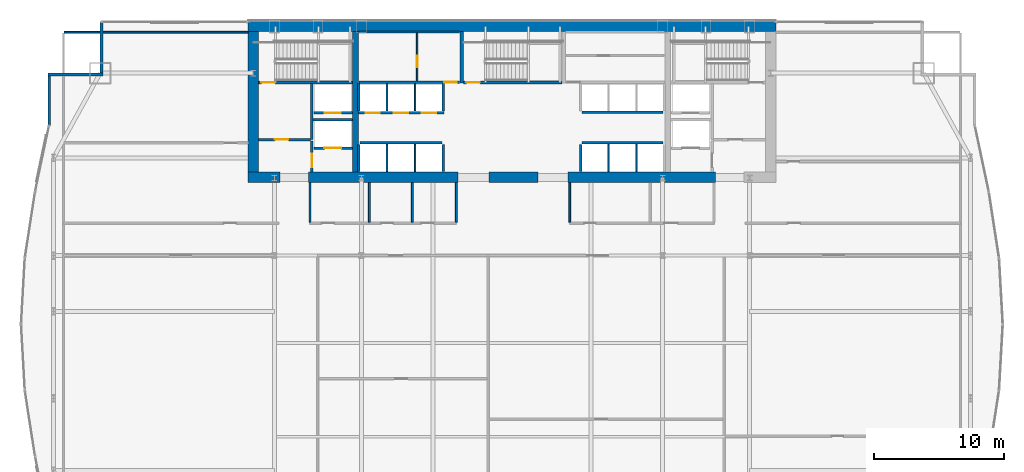
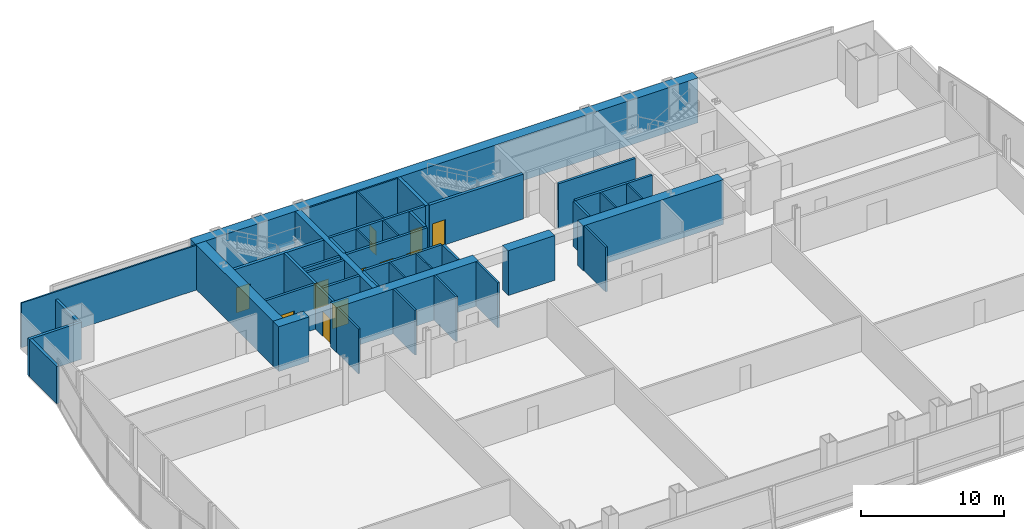
# One storey, part 30 of 35: 43 walls, 11 doors, 11 openings.
"""IFC4 building model written with IfcOpenShell, lengths in metres."""

from ifc_helpers import new_model, si_unit, direction, frame, frame_2d, origin, place, context, subcontext, project, spatial, rectangle, extrude, material, layer, layer_set, type_object, element, fill, save


model = new_model("IFC4")

# Units and contexts
model_context = context("Model", 3, precision=1e-05, world=origin(), true_north=direction((0.0, 1.0)))
body_context = subcontext(model_context, "Body", "Model", "MODEL_VIEW")
ifc_project = project(units=[si_unit("LENGTHUNIT", "METRE"), si_unit("AREAUNIT", "SQUARE_METRE"), si_unit("VOLUMEUNIT", "CUBIC_METRE"), si_unit("PLANEANGLEUNIT", "RADIAN"), si_unit("MASSUNIT", "GRAM", prefix="KILO")], contexts=[model_context])

# Site, building, storey
site_placement = place(None, origin())
site = spatial("IfcSite", under=ifc_project, at=site_placement, CompositionType="ELEMENT")
building_placement = place(site_placement, origin())
building = spatial("IfcBuilding", under=site, at=building_placement, Name="Khoronbel Lancet Exchange", CompositionType="ELEMENT")
storey_placement = place(building_placement, frame((0.0, 0.0, 53.800048828125)))
storey = spatial("IfcBuildingStorey", under=building, at=storey_placement, Name="L12", CompositionType="ELEMENT", Elevation=53.800048828125)

# Walls
ifc_material_1 = material(Name="Concrete C80/95", Category="concrete")
ifc_layer_1 = layer(ifc_material_1, 0.800048828125, Name="Concrete C80/95")
ifc_layer_set_1 = layer_set([ifc_layer_1], Name="Concrete C80/95")
wall_type_1 = type_object("IfcWallType", Name="WL-CW1", PredefinedType="SHEAR", material=ifc_layer_set_1)
wall_1_placement = place(storey_placement, frame((16.199951171875, 53.300048828125, 0.0), z_axis=(0.0, 0.0, 1.0), x_axis=(1.0, 0.0, 0.0)))
element("IfcWall", 1, at=wall_1_placement, inside=storey, type_object=wall_type_1, Name="Level L12 rear core north shear wall", PredefinedType="SHEAR", context=body_context, shape_type="SweptSolid", body=[
    extrude(rectangle(XDim=40.5, YDim=0.800048828125, at=frame_2d((20.25, 0.0))), origin(), (0.0, 0.0, 1.0), 3.820068359375),
])
wall_2_placement = place(storey_placement, frame((16.60009765625, 42.10009765625, 0.0), z_axis=(0.0, 0.0, 1.0), x_axis=(0.0, 1.0, 0.0)))
element("IfcWall", 2, at=wall_2_placement, inside=storey, type_object=wall_type_1, Name="Level L12 rear core west shear wall", PredefinedType="SHEAR", context=body_context, shape_type="SweptSolid", body=[
    extrude(rectangle(XDim=10.7998046875, YDim=0.800048828125, at=frame_2d((5.39990234375, 0.0))), origin(), (0.0, 0.0, 1.0), 3.820068359375),
])
wall_3_placement = place(storey_placement, frame((18.64990234375, 41.699951171875, 0.0), z_axis=(0.0, 0.0, 1.0), x_axis=(-1.0, 0.0, 0.0)))
element("IfcWall", 3, at=wall_3_placement, inside=storey, type_object=wall_type_1, Name="Level L12 rear core south shear wall pier P1", PredefinedType="SHEAR", context=body_context, shape_type="SweptSolid", body=[
    extrude(rectangle(XDim=2.449951171875, YDim=0.800048828125, at=frame_2d((1.22509765625, 0.0))), origin(), (0.0, 0.0, 1.0), 3.820068359375),
])
wall_4_placement = place(storey_placement, frame((32.300048828125, 41.699951171875, 0.0), z_axis=(0.0, 0.0, 1.0), x_axis=(-1.0, 0.0, 0.0)))
element("IfcWall", 4, at=wall_4_placement, inside=storey, type_object=wall_type_1, Name="Level L12 rear core south shear wall pier P2", PredefinedType="SHEAR", context=body_context, shape_type="SweptSolid", body=[
    extrude(rectangle(XDim=11.449951171875, YDim=0.800048828125, at=frame_2d((5.72509765625, 0.0))), origin(), (0.0, 0.0, 1.0), 3.820068359375),
])
wall_5_placement = place(storey_placement, frame((38.449951171875, 41.699951171875, 0.0), z_axis=(0.0, 0.0, 1.0), x_axis=(-1.0, 0.0, 0.0)))
element("IfcWall", 5, at=wall_5_placement, inside=storey, type_object=wall_type_1, Name="Level L12 rear core south shear wall pier P3", PredefinedType="SHEAR", context=body_context, shape_type="SweptSolid", body=[
    extrude(rectangle(XDim=3.75, YDim=0.800048828125, at=frame_2d((1.875, 0.0))), origin(), (0.0, 0.0, 1.0), 3.820068359375),
])
wall_6_placement = place(storey_placement, frame((52.050048828125, 41.699951171875, 0.0), z_axis=(0.0, 0.0, 1.0), x_axis=(-1.0, 0.0, 0.0)))
element("IfcWall", 6, at=wall_6_placement, inside=storey, type_object=wall_type_1, Name="Level L12 rear core south shear wall pier P4", PredefinedType="SHEAR", context=body_context, shape_type="SweptSolid", body=[
    extrude(rectangle(XDim=11.300048828125, YDim=0.800048828125, at=frame_2d((5.64990234375, 0.0))), origin(), (0.0, 0.0, 1.0), 3.820068359375),
])
ifc_material_2 = material(Name="Precast concrete C40/50", Category="concrete")
ifc_layer_2 = layer(ifc_material_2, 0.25, Name="Precast concrete C40/50")
ifc_layer_set_2 = layer_set([ifc_layer_2], Name="Precast concrete C40/50")
wall_type_2 = type_object("IfcWallType", Name="WL-EXT250", PredefinedType="SOLIDWALL", material=ifc_layer_set_2)
wall_7_placement = place(storey_placement, frame((0.93994140625, 45.670654296875, 0.0), z_axis=(0.0, 0.0, 1.0), x_axis=(0.0, 1.0, 0.0)))
element("IfcWall", 7, at=wall_7_placement, inside=storey, type_object=wall_type_2, Name="Level L12 notched-corner limestone pier 10", PredefinedType="SOLIDWALL", context=body_context, shape_type="SweptSolid", body=[
    extrude(rectangle(XDim=3.829345703125, YDim=0.219970703125, at=frame_2d((1.91455078125, 0.0))), origin(), (0.0, 0.0, 1.0), 3.159912109375),
])
wall_8_placement = place(storey_placement, frame((0.830078125, 49.610107421875, 0.0), z_axis=(0.0, 0.0, 1.0), x_axis=(1.0, 0.0, 0.0)))
element("IfcWall", 8, at=wall_8_placement, inside=storey, type_object=wall_type_2, Name="Level L12 notched-corner limestone pier 11", PredefinedType="SOLIDWALL", context=body_context, shape_type="SweptSolid", body=[
    extrude(rectangle(XDim=4.219970703125, YDim=0.219970703125, at=frame_2d((2.10986328125, 0.0))), origin(), (0.0, 0.0, 1.0), 3.159912109375),
])
wall_9_placement = place(storey_placement, frame((4.93994140625, 49.719970703125, 0.0), z_axis=(0.0, 0.0, 1.0), x_axis=(0.0, 1.0, 0.0)))
element("IfcWall", 9, at=wall_9_placement, inside=storey, type_object=wall_type_2, Name="Level L12 notched-corner limestone pier 12", PredefinedType="SOLIDWALL", context=body_context, shape_type="SweptSolid", body=[
    extrude(rectangle(XDim=3.909912109375, YDim=0.219970703125, at=frame_2d((1.955078125, 0.0))), origin(), (0.0, 0.0, 1.0), 3.159912109375),
])
ifc_material_3 = material(Name="Acoustic Metal-Stud & Mineral-Wool Gypsum Partition 120 mm", Category="gypsum")
ifc_layer_3 = layer(ifc_material_3, 0.1201171875, Name="Acoustic Metal-Stud & Mineral-Wool Gypsum Partition 120 mm")
ifc_layer_set_3 = layer_set([ifc_layer_3], Name="Acoustic Metal-Stud & Mineral-Wool Gypsum Partition 120 mm")
wall_type_3 = type_object("IfcWallType", Name="WL-PRT120", PredefinedType="PARTITIONING", material=ifc_layer_set_3)
for number, where, z_axis, x_axis, name in (
    (10, (20.949951171875, 38.280029296875, 0.0), (0.0, 0.0, 1.0), (0.0, 1.0, 0.0), "Level L12 interior partition PW-WC-0"),
    (11, (25.5, 38.280029296875, 0.0), (0.0, 0.0, 1.0), (0.0, 1.0, 0.0), "Level L12 interior partition PW-WC-1"),
    (12, (28.800048828125, 38.280029296875, 0.0), (0.0, 0.0, 1.0), (0.0, 1.0, 0.0), "Level L12 interior partition PW-WC-2"),
    (13, (32.179931640625, 38.280029296875, 0.0), (0.0, 0.0, 1.0), (0.0, 1.0, 0.0), "Level L12 interior partition PW-WC-3"),
    (14, (40.8798828125, 38.280029296875, 0.0), (0.0, 0.0, 1.0), (0.0, 1.0, 0.0), "Level L12 interior partition PW-NP-0"),
):
    element("IfcWall", number, at=place(storey_placement, frame(where, z_axis=z_axis, x_axis=x_axis)), inside=storey, type_object=wall_type_3, Name=name, PredefinedType="PARTITIONING", context=body_context, shape_type="SweptSolid", body=[
        extrude(rectangle(XDim=3.02001953125, YDim=0.14990234375, at=frame_2d((1.510009765625, 0.0))), origin(), (0.0, 0.0, 1.0), 3.820068359375),
    ])
wall_10_placement = place(storey_placement, frame((2.094970703125, 52.840087890625, 0.0), z_axis=(0.0, 0.0, 1.0), x_axis=(1.0, 0.0, 0.0)))
element("IfcWall", 15, at=wall_10_placement, inside=storey, type_object=wall_type_3, Name="Level L12 interior partition PW-LIN-NW", PredefinedType="PARTITIONING", context=body_context, shape_type="SweptSolid", body=[
    extrude(rectangle(XDim=14.10498046875, YDim=0.1201171875, at=frame_2d((7.052490234375, 0.0))), origin(), (0.0, 0.0, 1.0), 3.820068359375),
])
ifc_material_4 = material(Name="Fire-Rated Metal-Stud & Mineral-Wool Gypsum Partition 120 mm", Category="gypsum")
ifc_layer_4 = layer(ifc_material_4, 0.1201171875, Name="Fire-Rated Metal-Stud & Mineral-Wool Gypsum Partition 120 mm")
ifc_layer_set_4 = layer_set([ifc_layer_4], Name="Fire-Rated Metal-Stud & Mineral-Wool Gypsum Partition 120 mm")
wall_type_4 = type_object("IfcWallType", Name="WL-PRT120F", PredefinedType="PARTITIONING", material=ifc_layer_set_4)
for number, where, z_axis, x_axis, name in (
    (16, (26.860107421875, 46.800048828125, 0.0), (0.0, 0.0, 1.0), (0.0, 1.0, 0.0), "Level L12 interior partition CW-PL-D1"),
    (17, (29.02001953125, 46.800048828125, 0.0), (0.0, 0.0, 1.0), (0.0, 1.0, 0.0), "Level L12 interior partition CW-PL-D2"),
):
    element("IfcWall", number, at=place(storey_placement, frame(where, z_axis=z_axis, x_axis=x_axis)), inside=storey, type_object=wall_type_4, Name=name, PredefinedType="PARTITIONING", context=body_context, shape_type="SweptSolid", body=[
        extrude(rectangle(XDim=2.094970703125, YDim=0.1201171875, at=frame_2d((1.04736328125, 0.0))), origin(), (0.0, 0.0, 1.0), 3.820068359375),
    ])
for number, where, z_axis, x_axis, name in (
    (18, (26.860107421875, 42.14990234375, 0.0), (0.0, 0.0, 1.0), (0.0, 1.0, 0.0), "Level L12 interior partition CW-PM-D1"),
    (19, (29.02001953125, 42.14990234375, 0.0), (0.0, 0.0, 1.0), (0.0, 1.0, 0.0), "Level L12 interior partition CW-PM-D2"),
    (20, (43.860107421875, 42.14990234375, 0.0), (0.0, 0.0, 1.0), (0.0, 1.0, 0.0), "Level L12 interior partition CW-PX-D1"),
    (21, (46.0, 42.14990234375, 0.0), (0.0, 0.0, 1.0), (0.0, 1.0, 0.0), "Level L12 interior partition CW-PX-D2"),
):
    element("IfcWall", number, at=place(storey_placement, frame(where, z_axis=z_axis, x_axis=x_axis)), inside=storey, type_object=wall_type_4, Name=name, PredefinedType="PARTITIONING", context=body_context, shape_type="SweptSolid", body=[
        extrude(rectangle(XDim=2.09521484375, YDim=0.1201171875, at=frame_2d((1.047607421875, 0.0))), origin(), (0.0, 0.0, 1.0), 3.820068359375),
    ])
wall_11_placement = place(storey_placement, frame((24.699951171875, 52.860107421875, 0.0), z_axis=(0.0, 0.0, 1.0), x_axis=(1.0, 0.0, 0.0)))
element("IfcWall", 22, at=wall_11_placement, inside=storey, type_object=wall_type_4, Name="Level L12 interior partition CW-SUP-NW-N", PredefinedType="PARTITIONING", context=body_context, shape_type="SweptSolid", body=[
    extrude(rectangle(XDim=7.719970703125, YDim=0.1201171875, at=frame_2d((3.85986328125, 0.0))), origin(), (0.0, 0.0, 1.0), 3.820068359375),
])

# Wall, opening, door
wall_12_placement = place(storey_placement, frame((29.177490234375, 49.10498046875, 0.0), z_axis=(0.0, 0.0, 1.0), x_axis=(0.0, 1.0, 0.0)))
wall_12 = element("IfcWall", 23, at=wall_12_placement, inside=storey, type_object=wall_type_4, Name="Level L12 interior partition CW-SUP-NW-M", PredefinedType="PARTITIONING", context=body_context, shape_type="SweptSolid", body=[
    extrude(rectangle(XDim=3.68994140625, YDim=0.1201171875, at=frame_2d((1.844970703125, 0.0))), origin(), (0.0, 0.0, 1.0), 3.820068359375),
])
opening_1_placement = place(wall_12_placement, frame((1.050048828125, 0.0, 0.0)))
opening_1 = element("IfcOpeningElement", 24, at=opening_1_placement, cuts=wall_12, Name="Opening FD4", PredefinedType="OPENING", context=body_context, shape_type="SweptSolid", body=[
    extrude(rectangle(XDim=0.89990234375, YDim=2.050048828125, at=frame_2d((0.449951171875, 1.02490234375))), frame((0.0, 0.070068359375, 0.0), z_axis=(0.0, -1.0, 0.0), x_axis=(1.0, 0.0, 0.0)), (0.0, 0.0, 1.0), 0.14013671875),
])
ifc_material_5 = material(Name="Fire-Rated Steel Core Support Door Assembly", Category="steel")
door_type_1 = type_object("IfcDoorType", Name="DR-FD4", OperationType="NOTDEFINED", PredefinedType="DOOR", material=ifc_material_5)
door_1_placement = place(opening_1_placement, origin())
door_1 = element("IfcDoor", 25, at=door_1_placement, inside=storey, type_object=door_type_1, Name="Core NW inner support door L12-1", OperationType="SINGLE_SWING_RIGHT", OverallHeight=2.050048828125, OverallWidth=0.89990234375, PredefinedType="DOOR", context=body_context, shape_type="SweptSolid", body=[
    extrude(rectangle(XDim=0.89990234375, YDim=2.050048828125, at=frame_2d((0.449951171875, 1.02490234375))), frame((0.0, 0.02490234375, 0.0), z_axis=(0.0, -1.0, 0.0), x_axis=(1.0, 0.0, 0.0)), (0.0, 0.0, 1.0), 0.050048828125),
])
fill(opening_1, door_1)

ifc_material_6 = material(Name="Autoclaved Aerated Concrete Blockwork 200 mm", Category="masonry")
ifc_layer_5 = layer(ifc_material_6, 0.199951171875, Name="Autoclaved Aerated Concrete Blockwork 200 mm")
ifc_layer_set_5 = layer_set([ifc_layer_5], Name="Autoclaved Aerated Concrete Blockwork 200 mm")
wall_type_5 = type_object("IfcWallType", Name="WL-PRT200", PredefinedType="PARTITIONING", material=ifc_layer_set_5)
wall_13_placement = place(storey_placement, frame((24.2099609375, 43.949951171875, 0.0), z_axis=(0.0, 0.0, 1.0), x_axis=(-1.0, 0.0, 0.0)))
wall_13 = element("IfcWall", 26, at=wall_13_placement, inside=storey, type_object=wall_type_5, Name="Level L12 elevator hoistway landing front wall SVLW", PredefinedType="PARTITIONING", context=body_context, shape_type="SweptSolid", body=[
    extrude(rectangle(XDim=2.969970703125, YDim=0.199951171875, at=frame_2d((1.48486328125, 0.0))), origin(), (0.0, 0.0, 1.0), 3.820068359375),
])
opening_2_placement = place(wall_13_placement, frame((0.860107421875, 0.0, 0.0)))
opening_2 = element("IfcOpeningElement", 27, at=opening_2_placement, cuts=wall_13, Name="Opening LD-SVL1", PredefinedType="OPENING", context=body_context, shape_type="SweptSolid", body=[
    extrude(rectangle(XDim=1.300048828125, YDim=2.179931640625, at=frame_2d((0.64990234375, 1.08984375))), frame((0.0, 0.10986328125, 0.0), z_axis=(0.0, -1.0, 0.0), x_axis=(1.0, 0.0, 0.0)), (0.0, 0.0, 1.0), 0.219970703125),
])
ifc_material_7 = material(Name="Heavy-Duty Bi-Parting Goods Lift Landing Door", Category="steel")
door_type_2 = type_object("IfcDoorType", Name="DR-LD-SVL", OperationType="NOTDEFINED", PredefinedType="DOOR", material=ifc_material_7)
door_2_placement = place(opening_2_placement, origin())
door_2 = element("IfcDoor", 28, at=door_2_placement, inside=storey, type_object=door_type_2, Name="Elevator landing sliding door LD-SVL1 L12", OperationType="SLIDING_TO_LEFT", OverallHeight=2.179931640625, OverallWidth=1.300048828125, PredefinedType="DOOR", context=body_context, shape_type="SweptSolid", body=[
    extrude(rectangle(XDim=1.300048828125, YDim=2.179931640625, at=frame_2d((0.64990234375, 1.08984375))), frame((0.0, 0.02490234375, 0.0), z_axis=(0.0, -1.0, 0.0), x_axis=(1.0, 0.0, 0.0)), (0.0, 0.0, 1.0), 0.050048828125),
])
fill(opening_2, door_2)

wall_14_placement = place(storey_placement, frame((24.2099609375, 46.64990234375, 0.0), z_axis=(0.0, 0.0, 1.0), x_axis=(-1.0, 0.0, 0.0)))
wall_14 = element("IfcWall", 29, at=wall_14_placement, inside=storey, type_object=wall_type_5, Name="Level L12 elevator hoistway landing front wall FFLW", PredefinedType="PARTITIONING", context=body_context, shape_type="SweptSolid", body=[
    extrude(rectangle(XDim=2.969970703125, YDim=0.199951171875, at=frame_2d((1.48486328125, 0.0))), origin(), (0.0, 0.0, 1.0), 3.820068359375),
])
opening_3_placement = place(wall_14_placement, frame((0.909912109375, 0.0, 0.0)))
opening_3 = element("IfcOpeningElement", 30, at=opening_3_placement, cuts=wall_14, Name="Opening LD-FFL1", PredefinedType="OPENING", context=body_context, shape_type="SweptSolid", body=[
    extrude(rectangle(XDim=1.199951171875, YDim=2.179931640625, at=frame_2d((0.60009765625, 1.08984375))), frame((0.0, 0.10986328125, 0.0), z_axis=(0.0, -1.0, 0.0), x_axis=(1.0, 0.0, 0.0)), (0.0, 0.0, 1.0), 0.219970703125),
])
ifc_material_8 = material(Name="Fire-Rated Stainless Bi-Parting Firefighting Lift Door", Category="steel")
door_type_3 = type_object("IfcDoorType", Name="DR-LD-FFL", OperationType="NOTDEFINED", PredefinedType="DOOR", material=ifc_material_8)
door_3_placement = place(opening_3_placement, origin())
door_3 = element("IfcDoor", 31, at=door_3_placement, inside=storey, type_object=door_type_3, Name="Elevator landing sliding door LD-FFL1 L12", OperationType="SLIDING_TO_LEFT", OverallHeight=2.179931640625, OverallWidth=1.199951171875, PredefinedType="DOOR", context=body_context, shape_type="SweptSolid", body=[
    extrude(rectangle(XDim=1.199951171875, YDim=2.179931640625, at=frame_2d((0.60009765625, 1.08984375))), frame((0.0, 0.02490234375, 0.0), z_axis=(0.0, -1.0, 0.0), x_axis=(1.0, 0.0, 0.0)), (0.0, 0.0, 1.0), 0.050048828125),
])
fill(opening_3, door_3)

# Wall, openings, doors
wall_15_placement = place(storey_placement, frame((31.219970703125, 46.64990234375, 0.0), z_axis=(0.0, 0.0, 1.0), x_axis=(-1.0, 0.0, 0.0)))
wall_15 = element("IfcWall", 32, at=wall_15_placement, inside=storey, type_object=wall_type_5, Name="Level L12 elevator hoistway landing front wall PLW", PredefinedType="PARTITIONING", context=body_context, shape_type="SweptSolid", body=[
    extrude(rectangle(XDim=6.530029296875, YDim=0.199951171875, at=frame_2d((3.26513671875, 0.0))), origin(), (0.0, 0.0, 1.0), 3.820068359375),
])
opening_4_placement = place(wall_15_placement, frame((4.89990234375, 0.0, 0.0)))
opening_4 = element("IfcOpeningElement", 33, at=opening_4_placement, cuts=wall_15, Name="Opening LD-PL1", PredefinedType="OPENING", context=body_context, shape_type="SweptSolid", body=[
    extrude(rectangle(XDim=1.10009765625, YDim=2.179931640625, at=frame_2d((0.550048828125, 1.08984375))), frame((0.0, 0.10986328125, 0.0), z_axis=(0.0, -1.0, 0.0), x_axis=(1.0, 0.0, 0.0)), (0.0, 0.0, 1.0), 0.219970703125),
])
opening_5_placement = place(wall_15_placement, frame((2.739990234375, 0.0, 0.0)))
opening_5 = element("IfcOpeningElement", 34, at=opening_5_placement, cuts=wall_15, Name="Opening LD-PL2", PredefinedType="OPENING", context=body_context, shape_type="SweptSolid", body=[
    extrude(rectangle(XDim=1.10009765625, YDim=2.179931640625, at=frame_2d((0.550048828125, 1.08984375))), frame((0.0, 0.10986328125, 0.0), z_axis=(0.0, -1.0, 0.0), x_axis=(1.0, 0.0, 0.0)), (0.0, 0.0, 1.0), 0.219970703125),
])
opening_6_placement = place(wall_15_placement, frame((0.580078125, 0.0, 0.0)))
opening_6 = element("IfcOpeningElement", 35, at=opening_6_placement, cuts=wall_15, Name="Opening LD-PL3", PredefinedType="OPENING", context=body_context, shape_type="SweptSolid", body=[
    extrude(rectangle(XDim=1.10009765625, YDim=2.179931640625, at=frame_2d((0.550048828125, 1.08984375))), frame((0.0, 0.10986328125, 0.0), z_axis=(0.0, -1.0, 0.0), x_axis=(1.0, 0.0, 0.0)), (0.0, 0.0, 1.0), 0.219970703125),
])
ifc_material_9 = material(Name="Brushed Bronze Bi-Parting Elevator Landing Door", Category="steel")
door_type_4 = type_object("IfcDoorType", Name="DR-LD-PAX", OperationType="NOTDEFINED", PredefinedType="DOOR", material=ifc_material_9)
door_4_placement = place(opening_4_placement, origin())
door_4 = element("IfcDoor", 36, at=door_4_placement, inside=storey, type_object=door_type_4, Name="Elevator landing sliding door LD-PL1 L12", OperationType="SLIDING_TO_LEFT", OverallHeight=2.179931640625, OverallWidth=1.10009765625, PredefinedType="DOOR", context=body_context, shape_type="SweptSolid", body=[
    extrude(rectangle(XDim=1.10009765625, YDim=2.179931640625, at=frame_2d((0.550048828125, 1.08984375))), frame((0.0, 0.02490234375, 0.0), z_axis=(0.0, -1.0, 0.0), x_axis=(1.0, 0.0, 0.0)), (0.0, 0.0, 1.0), 0.050048828125),
])
fill(opening_4, door_4)
door_5_placement = place(opening_5_placement, origin())
door_5 = element("IfcDoor", 37, at=door_5_placement, inside=storey, type_object=door_type_4, Name="Elevator landing sliding door LD-PL2 L12", OperationType="SLIDING_TO_LEFT", OverallHeight=2.179931640625, OverallWidth=1.10009765625, PredefinedType="DOOR", context=body_context, shape_type="SweptSolid", body=[
    extrude(rectangle(XDim=1.10009765625, YDim=2.179931640625, at=frame_2d((0.550048828125, 1.08984375))), frame((0.0, 0.02490234375, 0.0), z_axis=(0.0, -1.0, 0.0), x_axis=(1.0, 0.0, 0.0)), (0.0, 0.0, 1.0), 0.050048828125),
])
fill(opening_5, door_5)
door_6_placement = place(opening_6_placement, origin())
door_6 = element("IfcDoor", 38, at=door_6_placement, inside=storey, type_object=door_type_4, Name="Elevator landing sliding door LD-PL3 L12", OperationType="SLIDING_TO_LEFT", OverallHeight=2.179931640625, OverallWidth=1.10009765625, PredefinedType="DOOR", context=body_context, shape_type="SweptSolid", body=[
    extrude(rectangle(XDim=1.10009765625, YDim=2.179931640625, at=frame_2d((0.550048828125, 1.08984375))), frame((0.0, 0.02490234375, 0.0), z_axis=(0.0, -1.0, 0.0), x_axis=(1.0, 0.0, 0.0)), (0.0, 0.0, 1.0), 0.050048828125),
])
fill(opening_6, door_6)

# Wall
wall_16_placement = place(storey_placement, frame((21.10009765625, 44.60009765625, 0.0), z_axis=(0.0, 0.0, 1.0), x_axis=(0.0, 1.0, 0.0)))
element("IfcWall", 39, at=wall_16_placement, inside=storey, type_object=wall_type_5, Name="Level L12 interior partition CW-FFLW-E", PredefinedType="PARTITIONING", context=body_context, shape_type="SweptSolid", body=[
    extrude(rectangle(XDim=4.2998046875, YDim=0.199951171875, at=frame_2d((2.14990234375, 0.0))), origin(), (0.0, 0.0, 1.0), 3.820068359375),
])

# Wall, opening, door
wall_17_placement = place(storey_placement, frame((17.0, 44.60009765625, 0.0), z_axis=(0.0, 0.0, 1.0), x_axis=(1.0, 0.0, 0.0)))
wall_17 = element("IfcWall", 40, at=wall_17_placement, inside=storey, type_object=wall_type_5, Name="Level L12 interior partition CW-FFLW-S", PredefinedType="PARTITIONING", context=body_context, shape_type="SweptSolid", body=[
    extrude(rectangle(XDim=4.0, YDim=0.199951171875, at=frame_2d((2.0, 0.0))), origin(), (0.0, 0.0, 1.0), 3.820068359375),
])
opening_7_placement = place(wall_17_placement, frame((1.25, 0.0, 0.0)))
opening_7 = element("IfcOpeningElement", 41, at=opening_7_placement, cuts=wall_17, Name="Opening FD1", PredefinedType="OPENING", context=body_context, shape_type="SweptSolid", body=[
    extrude(rectangle(XDim=1.050048828125, YDim=2.14990234375, at=frame_2d((0.52490234375, 1.074951171875))), frame((0.0, 0.10986328125, 0.0), z_axis=(0.0, -1.0, 0.0), x_axis=(1.0, 0.0, 0.0)), (0.0, 0.0, 1.0), 0.219970703125),
])
ifc_material_10 = material(Name="Fire-Rated Painted Steel Door Assembly", Category="steel")
door_type_5 = type_object("IfcDoorType", Name="DR-FD1", OperationType="NOTDEFINED", PredefinedType="DOOR", material=ifc_material_10)
door_7_placement = place(opening_7_placement, origin())
door_7 = element("IfcDoor", 42, at=door_7_placement, inside=storey, type_object=door_type_5, Name="West firefighting lobby FD90S door L12-1", OperationType="SINGLE_SWING_LEFT", OverallHeight=2.14990234375, OverallWidth=1.050048828125, PredefinedType="DOOR", context=body_context, shape_type="SweptSolid", body=[
    extrude(rectangle(XDim=1.050048828125, YDim=2.14990234375, at=frame_2d((0.52490234375, 1.074951171875))), frame((0.0, 0.02490234375, 0.0), z_axis=(0.0, -1.0, 0.0), x_axis=(1.0, 0.0, 0.0)), (0.0, 0.0, 1.0), 0.050048828125),
])
fill(opening_7, door_7)

# Wall
wall_18_placement = place(storey_placement, frame((21.199951171875, 46.1201171875, 0.0), z_axis=(0.0, 0.0, 1.0), x_axis=(1.0, 0.0, 0.0)))
element("IfcWall", 43, at=wall_18_placement, inside=storey, type_object=wall_type_5, Name="Level L12 interior partition CW-FFL1-S", PredefinedType="PARTITIONING", context=body_context, shape_type="SweptSolid", body=[
    extrude(rectangle(XDim=3.02001953125, YDim=0.199951171875, at=frame_2d((1.510009765625, 0.0))), origin(), (0.0, 0.0, 1.0), 3.820068359375),
])

# Wall, opening, door
wall_19_placement = place(storey_placement, frame((21.10009765625, 42.10009765625, 0.0), z_axis=(0.0, 0.0, 1.0), x_axis=(0.0, 1.0, 0.0)))
wall_19 = element("IfcWall", 44, at=wall_19_placement, inside=storey, type_object=wall_type_5, Name="Level L12 interior partition CW-SVLW-W", PredefinedType="PARTITIONING", context=body_context, shape_type="SweptSolid", body=[
    extrude(rectangle(XDim=2.39501953125, YDim=0.199951171875, at=frame_2d((1.197509765625, 0.0))), origin(), (0.0, 0.0, 1.0), 3.820068359375),
])
opening_8_placement = place(wall_19_placement, frame((0.3798828125, 0.0, 0.0)))
opening_8 = element("IfcOpeningElement", 45, at=opening_8_placement, cuts=wall_19, Name="Opening FD1", PredefinedType="OPENING", context=body_context, shape_type="SweptSolid", body=[
    extrude(rectangle(XDim=1.050048828125, YDim=2.14990234375, at=frame_2d((0.52490234375, 1.074951171875))), frame((0.0, 0.10986328125, 0.0), z_axis=(0.0, -1.0, 0.0), x_axis=(1.0, 0.0, 0.0)), (0.0, 0.0, 1.0), 0.219970703125),
])
door_8_placement = place(opening_8_placement, origin())
door_8 = element("IfcDoor", 46, at=door_8_placement, inside=storey, type_object=door_type_5, Name="West service lift lobby door L12-1", OperationType="SINGLE_SWING_RIGHT", OverallHeight=2.14990234375, OverallWidth=1.050048828125, PredefinedType="DOOR", context=body_context, shape_type="SweptSolid", body=[
    extrude(rectangle(XDim=1.050048828125, YDim=2.14990234375, at=frame_2d((0.52490234375, 1.074951171875))), frame((0.0, 0.02490234375, 0.0), z_axis=(0.0, -1.0, 0.0), x_axis=(1.0, 0.0, 0.0)), (0.0, 0.0, 1.0), 0.050048828125),
])
fill(opening_8, door_8)

# Walls
for number, where, z_axis, x_axis, name in (
    (47, (24.699951171875, 46.800048828125, 0.0), (0.0, 0.0, 1.0), (0.0, 1.0, 0.0), "Level L12 interior partition CW-PL-W"),
    (48, (31.179931640625, 46.800048828125, 0.0), (0.0, 0.0, 1.0), (0.0, 1.0, 0.0), "Level L12 interior partition CW-PL-E"),
):
    element("IfcWall", number, at=place(storey_placement, frame(where, z_axis=z_axis, x_axis=x_axis)), inside=storey, type_object=wall_type_5, Name=name, PredefinedType="PARTITIONING", context=body_context, shape_type="SweptSolid", body=[
        extrude(rectangle(XDim=2.094970703125, YDim=0.199951171875, at=frame_2d((1.04736328125, 0.0))), origin(), (0.0, 0.0, 1.0), 3.820068359375),
    ])
wall_20_placement = place(storey_placement, frame((24.804931640625, 44.35009765625, 0.0), z_axis=(0.0, 0.0, 1.0), x_axis=(1.0, 0.0, 0.0)))
element("IfcWall", 49, at=wall_20_placement, inside=storey, type_object=wall_type_5, Name="Level L12 interior partition CW-PM-EXP", PredefinedType="PARTITIONING", context=body_context, shape_type="SweptSolid", body=[
    extrude(rectangle(XDim=6.27001953125, YDim=0.199951171875, at=frame_2d((3.135009765625, 0.0))), origin(), (0.0, 0.0, 1.0), 3.820068359375),
])
for number, where, z_axis, x_axis, name in (
    (50, (24.699951171875, 42.14990234375, 0.0), (0.0, 0.0, 1.0), (0.0, 1.0, 0.0), "Level L12 interior partition CW-PM-W"),
    (51, (31.179931640625, 42.14990234375, 0.0), (0.0, 0.0, 1.0), (0.0, 1.0, 0.0), "Level L12 interior partition CW-PM-E"),
):
    element("IfcWall", number, at=place(storey_placement, frame(where, z_axis=z_axis, x_axis=x_axis)), inside=storey, type_object=wall_type_5, Name=name, PredefinedType="PARTITIONING", context=body_context, shape_type="SweptSolid", body=[
        extrude(rectangle(XDim=2.09521484375, YDim=0.199951171875, at=frame_2d((1.047607421875, 0.0))), origin(), (0.0, 0.0, 1.0), 3.820068359375),
    ])
for number, where, z_axis, x_axis, name in (
    (52, (41.824951171875, 46.699951171875, 0.0), (0.0, 0.0, 1.0), (1.0, 0.0, 0.0), "Level L12 interior partition CW-PH-EXP"),
    (53, (41.824951171875, 44.35009765625, 0.0), (0.0, 0.0, 1.0), (1.0, 0.0, 0.0), "Level L12 interior partition CW-PX-EXP"),
):
    element("IfcWall", number, at=place(storey_placement, frame(where, z_axis=z_axis, x_axis=x_axis)), inside=storey, type_object=wall_type_5, Name=name, PredefinedType="PARTITIONING", context=body_context, shape_type="SweptSolid", body=[
        extrude(rectangle(XDim=6.2099609375, YDim=0.199951171875, at=frame_2d((3.10498046875, 0.0))), origin(), (0.0, 0.0, 1.0), 3.820068359375),
    ])
wall_21_placement = place(storey_placement, frame((41.719970703125, 42.14990234375, 0.0), z_axis=(0.0, 0.0, 1.0), x_axis=(0.0, 1.0, 0.0)))
element("IfcWall", 54, at=wall_21_placement, inside=storey, type_object=wall_type_5, Name="Level L12 interior partition CW-PX-W", PredefinedType="PARTITIONING", context=body_context, shape_type="SweptSolid", body=[
    extrude(rectangle(XDim=2.09521484375, YDim=0.199951171875, at=frame_2d((1.047607421875, 0.0))), origin(), (0.0, 0.0, 1.0), 3.820068359375),
])

# Wall, opening, door
wall_22_placement = place(storey_placement, frame((24.699951171875, 49.0, 0.0), z_axis=(0.0, 0.0, 1.0), x_axis=(1.0, 0.0, 0.0)))
wall_22 = element("IfcWall", 55, at=wall_22_placement, inside=storey, type_object=wall_type_5, Name="Level L12 interior partition CW-SUP-NW-S", PredefinedType="PARTITIONING", context=body_context, shape_type="SweptSolid", body=[
    extrude(rectangle(XDim=7.719970703125, YDim=0.199951171875, at=frame_2d((3.85986328125, 0.0))), origin(), (0.0, 0.0, 1.0), 3.820068359375),
])
opening_9_placement = place(wall_22_placement, frame((6.56005859375, 0.0, 0.0)))
opening_9 = element("IfcOpeningElement", 56, at=opening_9_placement, cuts=wall_22, Name="Opening FD3", PredefinedType="OPENING", context=body_context, shape_type="SweptSolid", body=[
    extrude(rectangle(XDim=0.949951171875, YDim=2.10009765625, at=frame_2d((0.47509765625, 1.050048828125))), frame((0.0, 0.10986328125, 0.0), z_axis=(0.0, -1.0, 0.0), x_axis=(1.0, 0.0, 0.0)), (0.0, 0.0, 1.0), 0.219970703125),
])
ifc_material_11 = material(Name="Fire-Rated Steel Plant & Riser Door Assembly", Category="steel")
door_type_6 = type_object("IfcDoorType", Name="DR-FD3", OperationType="NOTDEFINED", PredefinedType="DOOR", material=ifc_material_11)
door_9_placement = place(opening_9_placement, origin())
door_9 = element("IfcDoor", 57, at=door_9_placement, inside=storey, type_object=door_type_6, Name="Core NW support room door L12-1", OperationType="SINGLE_SWING_LEFT", OverallHeight=2.10009765625, OverallWidth=0.949951171875, PredefinedType="DOOR", context=body_context, shape_type="SweptSolid", body=[
    extrude(rectangle(XDim=0.949951171875, YDim=2.10009765625, at=frame_2d((0.47509765625, 1.050048828125))), frame((0.0, 0.02490234375, 0.0), z_axis=(0.0, -1.0, 0.0), x_axis=(1.0, 0.0, 0.0)), (0.0, 0.0, 1.0), 0.050048828125),
])
fill(opening_9, door_9)

# Walls
ifc_layer_6 = layer(ifc_material_1, 0.449951171875, Name="Concrete C80/95")
ifc_layer_set_6 = layer_set([ifc_layer_6], Name="Concrete C80/95")
wall_type_6 = type_object("IfcWallType", Name="WL-SW1", PredefinedType="SHEAR", material=ifc_layer_set_6)
wall_23_placement = place(storey_placement, frame((24.449951171875, 42.10009765625, 0.0), z_axis=(0.0, 0.0, 1.0), x_axis=(0.0, 1.0, 0.0)))
element("IfcWall", 58, at=wall_23_placement, inside=storey, type_object=wall_type_6, Name="Level L12 rear core internal spine shear wall IW", PredefinedType="SHEAR", context=body_context, shape_type="SweptSolid", body=[
    extrude(rectangle(XDim=10.7998046875, YDim=0.449951171875, at=frame_2d((5.39990234375, 0.0))), origin(), (0.0, 0.0, 1.0), 3.820068359375),
])
ifc_material_12 = material(Name="Concrete C60/75", Category="concrete")
ifc_layer_7 = layer(ifc_material_12, 0.260009765625, Name="Concrete C60/75")
ifc_layer_set_7 = layer_set([ifc_layer_7], Name="Concrete C60/75")
wall_type_7 = type_object("IfcWallType", Name="WL-SW3", PredefinedType="SHEAR", material=ifc_layer_set_7)
wall_24_placement = place(storey_placement, frame((32.580078125, 48.949951171875, 0.0), z_axis=(0.0, 0.0, 1.0), x_axis=(0.0, 1.0, 0.0)))
element("IfcWall", 59, at=wall_24_placement, inside=storey, type_object=wall_type_7, Name="Level L12 central stairwell structural shear wall ST3W", PredefinedType="SHEAR", context=body_context, shape_type="SweptSolid", body=[
    extrude(rectangle(XDim=3.949951171875, YDim=0.260009765625, at=frame_2d((1.97509765625, 0.0))), origin(), (0.0, 0.0, 1.0), 3.820068359375),
])

# Wall, opening, door
wall_25_placement = place(storey_placement, frame((17.0, 48.97998046875, 0.0), z_axis=(0.0, 0.0, 1.0), x_axis=(1.0, 0.0, 0.0)))
wall_25 = element("IfcWall", 60, at=wall_25_placement, inside=storey, type_object=wall_type_7, Name="Level L12 west stairwell structural south wall", PredefinedType="SHEAR", context=body_context, shape_type="SweptSolid", body=[
    extrude(rectangle(XDim=7.219970703125, YDim=0.239990234375, at=frame_2d((3.60986328125, 0.0))), origin(), (0.0, 0.0, 1.0), 3.820068359375),
])
opening_10_placement = place(wall_25_placement, frame((0.219970703125, 0.0, 0.0)))
opening_10 = element("IfcOpeningElement", 61, at=opening_10_placement, cuts=wall_25, Name="Opening SD1", PredefinedType="OPENING", context=body_context, shape_type="SweptSolid", body=[
    extrude(rectangle(XDim=1.050048828125, YDim=2.14990234375, at=frame_2d((0.52490234375, 1.074951171875))), frame((0.0, 0.1298828125, 0.0), z_axis=(0.0, -1.0, 0.0), x_axis=(1.0, 0.0, 0.0)), (0.0, 0.0, 1.0), 0.260009765625),
])
ifc_material_13 = material(Name="Fire-Rated Steel Stairwell Door Assembly", Category="steel")
door_type_7 = type_object("IfcDoorType", Name="DR-SD1", OperationType="NOTDEFINED", PredefinedType="DOOR", material=ifc_material_13)
door_10_placement = place(opening_10_placement, origin())
door_10 = element("IfcDoor", 62, at=door_10_placement, inside=storey, type_object=door_type_7, Name="Protected exit stair ST1 door L12", OperationType="SINGLE_SWING_LEFT", OverallHeight=2.14990234375, OverallWidth=1.050048828125, PredefinedType="DOOR", context=body_context, shape_type="SweptSolid", body=[
    extrude(rectangle(XDim=1.050048828125, YDim=2.14990234375, at=frame_2d((0.52490234375, 1.074951171875))), frame((0.0, 0.02490234375, 0.0), z_axis=(0.0, -1.0, 0.0), x_axis=(1.0, 0.0, 0.0)), (0.0, 0.0, 1.0), 0.050048828125),
])
fill(opening_10, door_10)

wall_26_placement = place(storey_placement, frame((32.719970703125, 48.97998046875, 0.0), z_axis=(0.0, 0.0, 1.0), x_axis=(1.0, 0.0, 0.0)))
wall_26 = element("IfcWall", 63, at=wall_26_placement, inside=storey, type_object=wall_type_7, Name="Level L12 central stairwell structural south wall", PredefinedType="SHEAR", context=body_context, shape_type="SweptSolid", body=[
    extrude(rectangle(XDim=7.56005859375, YDim=0.239990234375, at=frame_2d((3.780029296875, 0.0))), origin(), (0.0, 0.0, 1.0), 3.820068359375),
])
opening_11_placement = place(wall_26_placement, frame((0.219970703125, 0.0, 0.0)))
opening_11 = element("IfcOpeningElement", 64, at=opening_11_placement, cuts=wall_26, Name="Opening SD1", PredefinedType="OPENING", context=body_context, shape_type="SweptSolid", body=[
    extrude(rectangle(XDim=1.050048828125, YDim=2.14990234375, at=frame_2d((0.52490234375, 1.074951171875))), frame((0.0, 0.1298828125, 0.0), z_axis=(0.0, -1.0, 0.0), x_axis=(1.0, 0.0, 0.0)), (0.0, 0.0, 1.0), 0.260009765625),
])
door_11_placement = place(opening_11_placement, origin())
door_11 = element("IfcDoor", 65, at=door_11_placement, inside=storey, type_object=door_type_7, Name="Protected exit stair ST3 door L12", OperationType="SINGLE_SWING_LEFT", OverallHeight=2.14990234375, OverallWidth=1.050048828125, PredefinedType="DOOR", context=body_context, shape_type="SweptSolid", body=[
    extrude(rectangle(XDim=1.050048828125, YDim=2.14990234375, at=frame_2d((0.52490234375, 1.074951171875))), frame((0.0, 0.02490234375, 0.0), z_axis=(0.0, -1.0, 0.0), x_axis=(1.0, 0.0, 0.0)), (0.0, 0.0, 1.0), 0.050048828125),
])
fill(opening_11, door_11)

save(model, "model.ifc")
